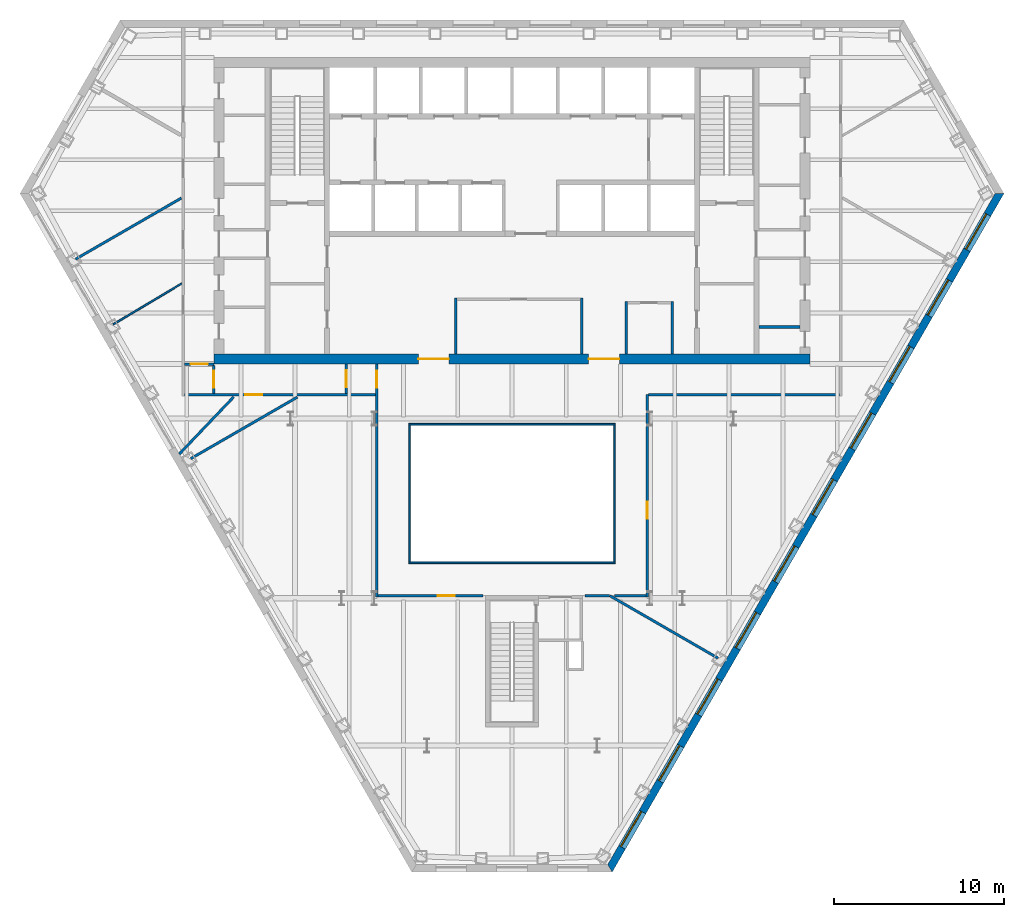
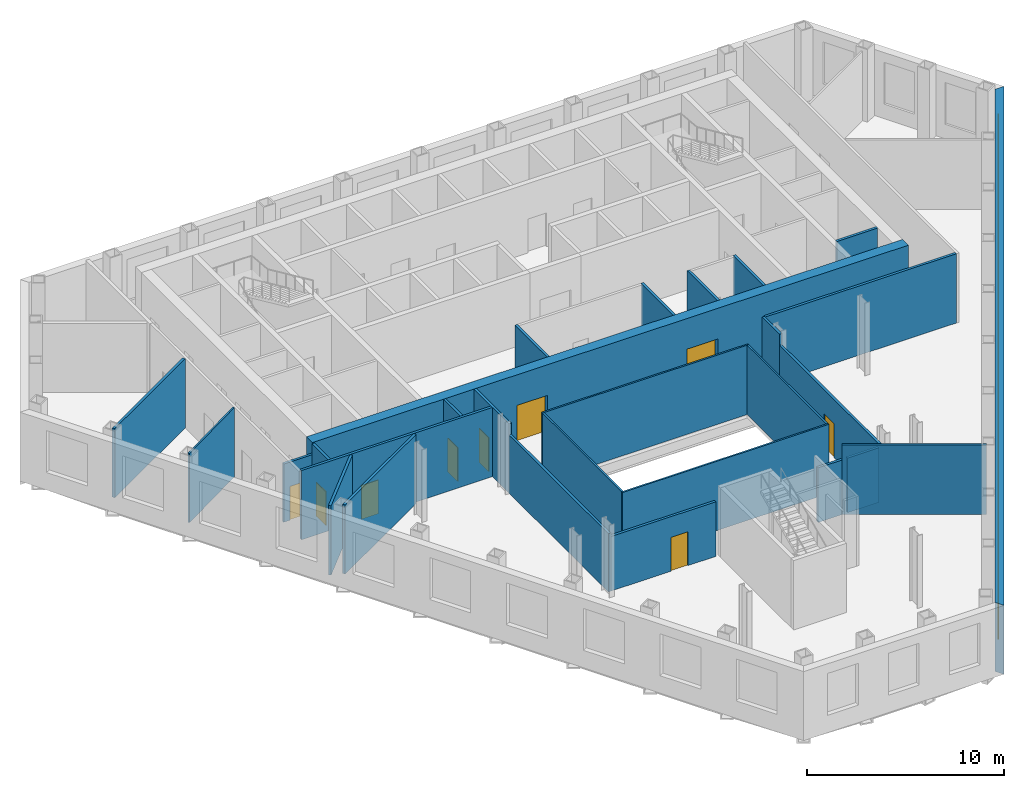
# One storey, part 5 of 11: 28 walls, 10 windows, 9 doors, 19 openings.
"""IFC4 building model written with IfcOpenShell, lengths in metres."""

from ifc_helpers import new_model, si_unit, direction, frame, frame_2d, origin, place, context, subcontext, project, spatial, polyline, rectangle, outline, extrude, material, layer, layer_set, type_object, element, fill, save


model = new_model("IFC4")

# Units and contexts
model_context = context("Model", 3, precision=1e-05, world=origin(), true_north=direction((0.0, 1.0)))
body_context = subcontext(model_context, "Body", "Model", "MODEL_VIEW")
ifc_project = project(units=[si_unit("LENGTHUNIT", "METRE"), si_unit("AREAUNIT", "SQUARE_METRE"), si_unit("VOLUMEUNIT", "CUBIC_METRE"), si_unit("PLANEANGLEUNIT", "RADIAN"), si_unit("MASSUNIT", "GRAM", prefix="KILO")], contexts=[model_context])

# Site, building, storey
site_placement = place(None, origin())
site = spatial("IfcSite", under=ifc_project, at=site_placement, CompositionType="ELEMENT")
building_placement = place(site_placement, origin())
building = spatial("IfcBuilding", under=site, at=building_placement, Name="Njiva Tower", CompositionType="ELEMENT")
storey_placement = place(building_placement, frame((0.0, 0.0, 33.3)))
storey = spatial("IfcBuildingStorey", under=building, at=storey_placement, Name="L06", CompositionType="ELEMENT", Elevation=33.3)

# Walls
ifc_material_1 = material(Name="Blockwork", Category="masonry")
ifc_layer_1 = layer(ifc_material_1, 0.15)
ifc_layer_set_1 = layer_set([ifc_layer_1], Name="Blockwork")
wall_type_1 = type_object("IfcWallType", Name="WT1 Compartment partition 150", PredefinedType="PARTITIONING", material=ifc_layer_set_1)
wall_1_placement = place(storey_placement, frame((14.5, 2.175, 0.0), z_axis=(0.0, 0.0, 1.0), x_axis=(1.0, 0.0, 0.0)))
element("IfcWall", 1, at=wall_1_placement, inside=storey, type_object=wall_type_1, Name="Partition strip E00", PredefinedType="PARTITIONING", context=body_context, shape_type="SweptSolid", body=[
    extrude(rectangle(XDim=2.4, YDim=0.15, at=frame_2d((1.2, 0.0))), origin(), (0.0, 0.0, 1.0), 4.3),
])
for number, where, z_axis, x_axis, name in (
    (2, (-3.3, 0.6, 0.0), (0.0, 0.0, 1.0), (0.0, 1.0, 0.0), "Information office wall west"),
    (3, (4.1, 0.6, 0.0), (0.0, 0.0, 1.0), (0.0, 1.0, 0.0), "Information office wall east"),
):
    element("IfcWall", number, at=place(storey_placement, frame(where, z_axis=z_axis, x_axis=x_axis)), inside=storey, type_object=wall_type_1, Name=name, PredefinedType="PARTITIONING", context=body_context, shape_type="SweptSolid", body=[
        extrude(rectangle(XDim=3.275, YDim=0.15, at=frame_2d((1.6375, 0.0))), origin(), (0.0, 0.0, 1.0), 4.3),
    ])
for number, where, z_axis, x_axis, name in (
    (4, (6.7, 0.6, 0.0), (0.0, 0.0, 1.0), (0.0, 1.0, 0.0), "Tenant reception wall west"),
    (5, (9.4, 0.6, 0.0), (0.0, 0.0, 1.0), (0.0, 1.0, 0.0), "Tenant reception wall east"),
):
    element("IfcWall", number, at=place(storey_placement, frame(where, z_axis=z_axis, x_axis=x_axis)), inside=storey, type_object=wall_type_1, Name=name, PredefinedType="PARTITIONING", context=body_context, shape_type="SweptSolid", body=[
        extrude(rectangle(XDim=3.075, YDim=0.15, at=frame_2d((1.5375, 0.0))), origin(), (0.0, 0.0, 1.0), 4.3),
    ])

# Wall, openings, doors
ifc_material_2 = material(Name="Concrete C60/75", Category="concrete")
ifc_layer_2 = layer(ifc_material_2, 0.6)
ifc_layer_set_2 = layer_set([ifc_layer_2], Name="Concrete C60/75")
wall_type_2 = type_object("IfcWallType", Name="WT15 Core wall 600", PredefinedType="SHEAR", material=ifc_layer_set_2)
wall_2_placement = place(storey_placement, frame((-17.5, 0.3, 0.0), z_axis=(0.0, 0.0, 1.0), x_axis=(1.0, 0.0, 0.0)))
wall_2 = element("IfcWall", 6, at=wall_2_placement, inside=storey, type_object=wall_type_2, Name="Core wall south", PredefinedType="SHEAR", context=body_context, shape_type="SweptSolid", body=[
    extrude(rectangle(XDim=35.0, YDim=0.6, at=frame_2d((17.5, 0.0))), origin(), (0.0, 0.0, 1.0), 4.3),
])
opening_1_placement = place(wall_2_placement, frame((12.0, 0.0, 0.0)))
opening_1 = element("IfcOpeningElement", 7, at=opening_1_placement, cuts=wall_2, Name="Opening S02-D937", PredefinedType="OPENING", context=body_context, shape_type="SweptSolid", body=[
    extrude(rectangle(XDim=1.8, YDim=2.4, at=frame_2d((0.9, 1.2))), frame((0.0, 0.31, 0.0), z_axis=(0.0, -1.0, 0.0), x_axis=(1.0, 0.0, 0.0)), (0.0, 0.0, 1.0), 0.62),
])
opening_2_placement = place(wall_2_placement, frame((22.0, 0.0, 0.0)))
opening_2 = element("IfcOpeningElement", 8, at=opening_2_placement, cuts=wall_2, Name="Opening S02-D938", PredefinedType="OPENING", context=body_context, shape_type="SweptSolid", body=[
    extrude(rectangle(XDim=1.8, YDim=2.4, at=frame_2d((0.9, 1.2))), frame((0.0, 0.31, 0.0), z_axis=(0.0, -1.0, 0.0), x_axis=(1.0, 0.0, 0.0)), (0.0, 0.0, 1.0), 0.62),
])
ifc_material_3 = material(Name="Steel and glass door", Category="steel")
door_type_1 = type_object("IfcDoorType", Name="D3 Core entrance door 1800x2400", OperationType="DOUBLE_DOOR_SINGLE_SWING", PredefinedType="DOOR", material=ifc_material_3)
door_1_placement = place(opening_1_placement, origin())
door_1 = element("IfcDoor", 9, at=door_1_placement, inside=storey, type_object=door_type_1, Name="Core entrance door", OperationType="DOUBLE_DOOR_SINGLE_SWING", OverallHeight=2.4, OverallWidth=1.8, PredefinedType="DOOR", context=body_context, shape_type="SweptSolid", body=[
    extrude(rectangle(XDim=1.8, YDim=2.4, at=frame_2d((0.9, 1.2))), frame((0.0, 0.025, 0.0), z_axis=(0.0, -1.0, 0.0), x_axis=(1.0, 0.0, 0.0)), (0.0, 0.0, 1.0), 0.05),
])
fill(opening_1, door_1)
door_2_placement = place(opening_2_placement, origin())
door_2 = element("IfcDoor", 10, at=door_2_placement, inside=storey, type_object=door_type_1, Name="Core entrance door", OperationType="DOUBLE_DOOR_SINGLE_SWING", OverallHeight=2.4, OverallWidth=1.8, PredefinedType="DOOR", context=body_context, shape_type="SweptSolid", body=[
    extrude(rectangle(XDim=1.8, YDim=2.4, at=frame_2d((0.9, 1.2))), frame((0.0, 0.025, 0.0), z_axis=(0.0, -1.0, 0.0), x_axis=(1.0, 0.0, 0.0)), (0.0, 0.0, 1.0), 0.05),
])
fill(opening_2, door_2)

# Walls
ifc_material_4 = material(Name="Gypsum board on steel studs", Category="gypsum")
ifc_layer_3 = layer(ifc_material_4, 0.1)
ifc_layer_set_3 = layer_set([ifc_layer_3], Name="Gypsum board on steel studs")
wall_type_3 = type_object("IfcWallType", Name="WT20 Gypsum partition 100", PredefinedType="PARTITIONING", material=ifc_layer_set_3)
wall_3_placement = place(storey_placement, frame((-23.41, 2.331, 0.0), z_axis=(0.0, 0.0, 1.0), x_axis=(0.858568146325, 0.512699461786, 0.0)))
element("IfcWall", 11, at=wall_3_placement, inside=storey, type_object=wall_type_3, Name="Partition S02-P003", PredefinedType="PARTITIONING", context=body_context, shape_type="SweptSolid", body=[
    extrude(rectangle(XDim=4.6694, YDim=0.1, at=frame_2d((2.3347, 0.0))), origin(), (0.0, 0.0, 1.0), 4.3),
])
ifc_layer_4 = layer(ifc_material_4, 0.15)
ifc_layer_set_4 = layer_set([ifc_layer_4], Name="Gypsum board on steel studs")
wall_type_4 = type_object("IfcWallType", Name="WT21 Compartment wall 150", PredefinedType="PARTITIONING", material=ifc_layer_set_4)
wall_4_placement = place(storey_placement, frame((-25.62, 6.161, 0.0), z_axis=(0.0, 0.0, 1.0), x_axis=(0.866036909293, 0.499980071345, 0.0)))
element("IfcWall", 12, at=wall_4_placement, inside=storey, type_object=wall_type_4, Name="Partition S02-P001", PredefinedType="PARTITIONING", context=body_context, shape_type="SweptSolid", body=[
    extrude(rectangle(XDim=7.1683, YDim=0.15, at=frame_2d((3.5842, 0.0))), origin(), (0.0, 0.0, 1.0), 4.3),
])
wall_5_placement = place(storey_placement, frame((-19.533, -5.282, 0.0), z_axis=(0.0, 0.0, 1.0), x_axis=(0.689628223258, 0.724163595941, 0.0)))
element("IfcWall", 13, at=wall_5_placement, inside=storey, type_object=wall_type_4, Name="Partition S02-P004", PredefinedType="PARTITIONING", context=body_context, shape_type="SweptSolid", body=[
    extrude(rectangle(XDim=4.6329, YDim=0.15, at=frame_2d((2.3164, 0.0))), origin(), (0.0, 0.0, 1.0), 4.3),
])

# Wall, opening, door
wall_6_placement = place(storey_placement, frame((-19.225, -1.8, 0.0), z_axis=(0.0, 0.0, 1.0), x_axis=(1.0, 0.0, 0.0)))
wall_6 = element("IfcWall", 14, at=wall_6_placement, inside=storey, type_object=wall_type_4, Name="Partition S02-P007", PredefinedType="PARTITIONING", context=body_context, shape_type="SweptSolid", body=[
    extrude(rectangle(XDim=11.21, YDim=0.15, at=frame_2d((5.605, 0.0))), origin(), (0.0, 0.0, 1.0), 4.3),
])
opening_3_placement = place(wall_6_placement, frame((3.559, 0.0, 0.0)))
opening_3 = element("IfcOpeningElement", 15, at=opening_3_placement, cuts=wall_6, Name="Opening S02-D005", PredefinedType="OPENING", context=body_context, shape_type="SweptSolid", body=[
    extrude(rectangle(XDim=1.0, YDim=2.1, at=frame_2d((0.5, 1.05))), frame((0.0, 0.085, 0.0), z_axis=(0.0, -1.0, 0.0), x_axis=(1.0, 0.0, 0.0)), (0.0, 0.0, 1.0), 0.17),
])
ifc_material_5 = material(Name="Steel fire door set", Category="steel")
door_type_2 = type_object("IfcDoorType", Name="D37 Fire door 1000x2100", OperationType="SINGLE_SWING_LEFT", PredefinedType="DOOR", material=ifc_material_5)
door_3_placement = place(opening_3_placement, origin())
door_3 = element("IfcDoor", 16, at=door_3_placement, inside=storey, type_object=door_type_2, Name="Door S02-D005", OperationType="SINGLE_SWING_LEFT", OverallHeight=2.1, OverallWidth=1.0, PredefinedType="DOOR", context=body_context, shape_type="SweptSolid", body=[
    extrude(rectangle(XDim=1.0, YDim=2.1, at=frame_2d((0.5, 1.05))), frame((0.0, 0.025, 0.0), z_axis=(0.0, -1.0, 0.0), x_axis=(1.0, 0.0, 0.0)), (0.0, 0.0, 1.0), 0.05),
])
fill(opening_3, door_3)

wall_7_placement = place(storey_placement, frame((-19.225, 0.0, 0.0), z_axis=(0.0, 0.0, 1.0), x_axis=(1.0, 0.0, 0.0)))
wall_7 = element("IfcWall", 17, at=wall_7_placement, inside=storey, type_object=wall_type_4, Name="Partition S02-P008", PredefinedType="PARTITIONING", context=body_context, shape_type="SweptSolid", body=[
    extrude(rectangle(XDim=1.725, YDim=0.15, at=frame_2d((0.8625, 0.0))), origin(), (0.0, 0.0, 1.0), 3.61),
])
opening_4_placement = place(wall_7_placement, frame((0.363, 0.0, 0.0)))
opening_4 = element("IfcOpeningElement", 18, at=opening_4_placement, cuts=wall_7, Name="Opening S02-D006", PredefinedType="OPENING", context=body_context, shape_type="SweptSolid", body=[
    extrude(rectangle(XDim=1.0, YDim=2.1, at=frame_2d((0.5, 1.05))), frame((0.0, 0.085, 0.0), z_axis=(0.0, -1.0, 0.0), x_axis=(1.0, 0.0, 0.0)), (0.0, 0.0, 1.0), 0.17),
])
door_4_placement = place(opening_4_placement, origin())
door_4 = element("IfcDoor", 19, at=door_4_placement, inside=storey, type_object=door_type_2, Name="Door S02-D006", OperationType="SINGLE_SWING_LEFT", OverallHeight=2.1, OverallWidth=1.0, PredefinedType="DOOR", context=body_context, shape_type="SweptSolid", body=[
    extrude(rectangle(XDim=1.0, YDim=2.1, at=frame_2d((0.5, 1.05))), frame((0.0, 0.025, 0.0), z_axis=(0.0, -1.0, 0.0), x_axis=(1.0, 0.0, 0.0)), (0.0, 0.0, 1.0), 0.05),
])
fill(opening_4, door_4)

# Wall
wall_8_placement = place(storey_placement, frame((-18.858, -5.552, 0.0), z_axis=(0.0, 0.0, 1.0), x_axis=(0.866088799389, 0.499890179513, 0.0)))
element("IfcWall", 20, at=wall_8_placement, inside=storey, type_object=wall_type_4, Name="Partition S02-P009", PredefinedType="PARTITIONING", context=body_context, shape_type="SweptSolid", body=[
    extrude(rectangle(XDim=7.2256, YDim=0.15, at=frame_2d((3.6128, 0.0))), origin(), (0.0, 0.0, 1.0), 4.3),
])

# Wall, opening, door
wall_9_placement = place(storey_placement, frame((-17.5, -1.725, 0.0), z_axis=(0.0, 0.0, 1.0), x_axis=(0.0, 1.0, 0.0)))
wall_9 = element("IfcWall", 21, at=wall_9_placement, inside=storey, type_object=wall_type_4, Name="Partition S02-P010", PredefinedType="PARTITIONING", context=body_context, shape_type="SweptSolid", body=[
    extrude(rectangle(XDim=1.65, YDim=0.15, at=frame_2d((0.825, 0.0))), origin(), (0.0, 0.0, 1.0), 4.3),
])
opening_5_placement = place(wall_9_placement, frame((0.325, 0.0, 0.0)))
opening_5 = element("IfcOpeningElement", 22, at=opening_5_placement, cuts=wall_9, Name="Opening S02-D007", PredefinedType="OPENING", context=body_context, shape_type="SweptSolid", body=[
    extrude(rectangle(XDim=1.0, YDim=2.1, at=frame_2d((0.5, 1.05))), frame((0.0, 0.085, 0.0), z_axis=(0.0, -1.0, 0.0), x_axis=(1.0, 0.0, 0.0)), (0.0, 0.0, 1.0), 0.17),
])
door_5_placement = place(opening_5_placement, origin())
door_5 = element("IfcDoor", 23, at=door_5_placement, inside=storey, type_object=door_type_2, Name="Door S02-D007", OperationType="SINGLE_SWING_LEFT", OverallHeight=2.1, OverallWidth=1.0, PredefinedType="DOOR", context=body_context, shape_type="SweptSolid", body=[
    extrude(rectangle(XDim=1.0, YDim=2.1, at=frame_2d((0.5, 1.05))), frame((0.0, 0.025, 0.0), z_axis=(0.0, -1.0, 0.0), x_axis=(1.0, 0.0, 0.0)), (0.0, 0.0, 1.0), 0.05),
])
fill(opening_5, door_5)

wall_10_placement = place(storey_placement, frame((-9.74, -1.725, 0.0), z_axis=(0.0, 0.0, 1.0), x_axis=(0.0, 1.0, 0.0)))
wall_10 = element("IfcWall", 24, at=wall_10_placement, inside=storey, type_object=wall_type_4, Name="Partition S02-P011", PredefinedType="PARTITIONING", context=body_context, shape_type="SweptSolid", body=[
    extrude(rectangle(XDim=1.725, YDim=0.15, at=frame_2d((0.8625, 0.0))), origin(), (0.0, 0.0, 1.0), 4.3),
])
opening_6_placement = place(wall_10_placement, frame((0.363, 0.0, 0.0)))
opening_6 = element("IfcOpeningElement", 25, at=opening_6_placement, cuts=wall_10, Name="Opening S02-D008", PredefinedType="OPENING", context=body_context, shape_type="SweptSolid", body=[
    extrude(rectangle(XDim=1.0, YDim=2.1, at=frame_2d((0.5, 1.05))), frame((0.0, 0.085, 0.0), z_axis=(0.0, -1.0, 0.0), x_axis=(1.0, 0.0, 0.0)), (0.0, 0.0, 1.0), 0.17),
])
door_6_placement = place(opening_6_placement, origin())
door_6 = element("IfcDoor", 26, at=door_6_placement, inside=storey, type_object=door_type_2, Name="Door S02-D008", OperationType="SINGLE_SWING_LEFT", OverallHeight=2.1, OverallWidth=1.0, PredefinedType="DOOR", context=body_context, shape_type="SweptSolid", body=[
    extrude(rectangle(XDim=1.0, YDim=2.1, at=frame_2d((0.5, 1.05))), frame((0.0, 0.025, 0.0), z_axis=(0.0, -1.0, 0.0), x_axis=(1.0, 0.0, 0.0)), (0.0, 0.0, 1.0), 0.05),
])
fill(opening_6, door_6)

# Wall
wall_11_placement = place(storey_placement, frame((-7.94, -13.675, 0.0), z_axis=(0.0, 0.0, 1.0), x_axis=(0.0, 1.0, 0.0)))
element("IfcWall", 27, at=wall_11_placement, inside=storey, type_object=wall_type_4, Name="Partition S02-P012", PredefinedType="PARTITIONING", context=body_context, shape_type="SweptSolid", body=[
    extrude(rectangle(XDim=10.118, YDim=0.15, at=frame_2d((5.059, 0.0))), origin(), (0.0, 0.0, 1.0), 3.61),
])

# Wall, opening, door
wall_12_placement = place(storey_placement, frame((-7.94, -3.557, 0.0), z_axis=(0.0, 0.0, 1.0), x_axis=(0.0, 1.0, 0.0)))
wall_12 = element("IfcWall", 28, at=wall_12_placement, inside=storey, type_object=wall_type_4, Name="Partition S02-P012A", PredefinedType="PARTITIONING", context=body_context, shape_type="SweptSolid", body=[
    extrude(rectangle(XDim=3.557, YDim=0.15, at=frame_2d((1.7785, 0.0))), origin(), (0.0, 0.0, 1.0), 4.3),
])
opening_7_placement = place(wall_12_placement, frame((2.157, 0.0, 0.0)))
opening_7 = element("IfcOpeningElement", 29, at=opening_7_placement, cuts=wall_12, Name="Opening S02-D009", PredefinedType="OPENING", context=body_context, shape_type="SweptSolid", body=[
    extrude(rectangle(XDim=1.0, YDim=2.1, at=frame_2d((0.5, 1.05))), frame((0.0, 0.085, 0.0), z_axis=(0.0, -1.0, 0.0), x_axis=(1.0, 0.0, 0.0)), (0.0, 0.0, 1.0), 0.17),
])
door_7_placement = place(opening_7_placement, origin())
door_7 = element("IfcDoor", 30, at=door_7_placement, inside=storey, type_object=door_type_2, Name="Door S02-D009", OperationType="SINGLE_SWING_LEFT", OverallHeight=2.1, OverallWidth=1.0, PredefinedType="DOOR", context=body_context, shape_type="SweptSolid", body=[
    extrude(rectangle(XDim=1.0, YDim=2.1, at=frame_2d((0.5, 1.05))), frame((0.0, 0.025, 0.0), z_axis=(0.0, -1.0, 0.0), x_axis=(1.0, 0.0, 0.0)), (0.0, 0.0, 1.0), 0.05),
])
fill(opening_7, door_7)

wall_13_placement = place(storey_placement, frame((-7.865, -13.6, 0.0), z_axis=(0.0, 0.0, 1.0), x_axis=(1.0, 0.0, 0.0)))
wall_13 = element("IfcWall", 31, at=wall_13_placement, inside=storey, type_object=wall_type_4, Name="Partition S02-P013", PredefinedType="PARTITIONING", context=body_context, shape_type="SweptSolid", body=[
    extrude(rectangle(XDim=6.165, YDim=0.15, at=frame_2d((3.0825, 0.0))), origin(), (0.0, 0.0, 1.0), 3.39),
])
opening_8_placement = place(wall_13_placement, frame((3.514, 0.0, 0.0)))
opening_8 = element("IfcOpeningElement", 32, at=opening_8_placement, cuts=wall_13, Name="Opening S02-D010", PredefinedType="OPENING", context=body_context, shape_type="SweptSolid", body=[
    extrude(rectangle(XDim=1.0, YDim=2.1, at=frame_2d((0.5, 1.05))), frame((0.0, 0.085, 0.0), z_axis=(0.0, -1.0, 0.0), x_axis=(1.0, 0.0, 0.0)), (0.0, 0.0, 1.0), 0.17),
])
door_8_placement = place(opening_8_placement, origin())
door_8 = element("IfcDoor", 33, at=door_8_placement, inside=storey, type_object=door_type_2, Name="Door S02-D010", OperationType="SINGLE_SWING_RIGHT", OverallHeight=2.1, OverallWidth=1.0, PredefinedType="DOOR", context=body_context, shape_type="SweptSolid", body=[
    extrude(rectangle(XDim=1.0, YDim=2.1, at=frame_2d((0.5, 1.05))), frame((0.0, 0.025, 0.0), z_axis=(0.0, -1.0, 0.0), x_axis=(1.0, 0.0, 0.0)), (0.0, 0.0, 1.0), 0.05),
])
fill(opening_8, door_8)

# Walls
wall_14_placement = place(storey_placement, frame((4.3, -13.6, 0.0), z_axis=(0.0, 0.0, 1.0), x_axis=(1.0, 0.0, 0.0)))
element("IfcWall", 34, at=wall_14_placement, inside=storey, type_object=wall_type_4, Name="Partition S02-P014", PredefinedType="PARTITIONING", context=body_context, shape_type="SweptSolid", body=[
    extrude(rectangle(XDim=1.41, YDim=0.15, at=frame_2d((0.705, 0.0))), origin(), (0.0, 0.0, 1.0), 3.39),
])
wall_15_placement = place(storey_placement, frame((5.747, -13.602, 0.0), z_axis=(0.0, 0.0, 1.0), x_axis=(0.866085627872, -0.49989567431, 0.0)))
element("IfcWall", 35, at=wall_15_placement, inside=storey, type_object=wall_type_4, Name="Partition S02-P015", PredefinedType="PARTITIONING", context=body_context, shape_type="SweptSolid", body=[
    extrude(rectangle(XDim=7.3295, YDim=0.15, at=frame_2d((3.6648, 0.0))), origin(), (0.0, 0.0, 1.0), 4.3),
])
wall_16_placement = place(storey_placement, frame((6.024, -13.6, 0.0), z_axis=(0.0, 0.0, 1.0), x_axis=(1.0, 0.0, 0.0)))
element("IfcWall", 36, at=wall_16_placement, inside=storey, type_object=wall_type_4, Name="Partition S02-P016", PredefinedType="PARTITIONING", context=body_context, shape_type="SweptSolid", body=[
    extrude(rectangle(XDim=1.841, YDim=0.15, at=frame_2d((0.9205, 0.0))), origin(), (0.0, 0.0, 1.0), 3.39),
])

# Wall, opening, door
wall_17_placement = place(storey_placement, frame((7.94, -13.675, 0.0), z_axis=(0.0, 0.0, 1.0), x_axis=(0.0, 1.0, 0.0)))
wall_17 = element("IfcWall", 37, at=wall_17_placement, inside=storey, type_object=wall_type_4, Name="Partition S02-P017", PredefinedType="PARTITIONING", context=body_context, shape_type="SweptSolid", body=[
    extrude(rectangle(XDim=10.118, YDim=0.15, at=frame_2d((5.059, 0.0))), origin(), (0.0, 0.0, 1.0), 3.61),
])
opening_9_placement = place(wall_17_placement, frame((4.581, 0.0, 0.0)))
opening_9 = element("IfcOpeningElement", 38, at=opening_9_placement, cuts=wall_17, Name="Opening S02-D011", PredefinedType="OPENING", context=body_context, shape_type="SweptSolid", body=[
    extrude(rectangle(XDim=1.0, YDim=2.1, at=frame_2d((0.5, 1.05))), frame((0.0, 0.085, 0.0), z_axis=(0.0, -1.0, 0.0), x_axis=(1.0, 0.0, 0.0)), (0.0, 0.0, 1.0), 0.17),
])
door_9_placement = place(opening_9_placement, origin())
door_9 = element("IfcDoor", 39, at=door_9_placement, inside=storey, type_object=door_type_2, Name="Door S02-D011", OperationType="SINGLE_SWING_RIGHT", OverallHeight=2.1, OverallWidth=1.0, PredefinedType="DOOR", context=body_context, shape_type="SweptSolid", body=[
    extrude(rectangle(XDim=1.0, YDim=2.1, at=frame_2d((0.5, 1.05))), frame((0.0, 0.025, 0.0), z_axis=(0.0, -1.0, 0.0), x_axis=(1.0, 0.0, 0.0)), (0.0, 0.0, 1.0), 0.05),
])
fill(opening_9, door_9)

# Walls
wall_18_placement = place(storey_placement, frame((7.94, -3.557, 0.0), z_axis=(0.0, 0.0, 1.0), x_axis=(0.0, 1.0, 0.0)))
element("IfcWall", 40, at=wall_18_placement, inside=storey, type_object=wall_type_4, Name="Partition S02-P017A", PredefinedType="PARTITIONING", context=body_context, shape_type="SweptSolid", body=[
    extrude(rectangle(XDim=1.768, YDim=0.15, at=frame_2d((0.884, 0.0))), origin(), (0.0, 0.0, 1.0), 4.3),
])
wall_19_placement = place(storey_placement, frame((8.015, -1.8, 0.0), z_axis=(0.0, 0.0, 1.0), x_axis=(1.0, 0.0, 0.0)))
element("IfcWall", 41, at=wall_19_placement, inside=storey, type_object=wall_type_4, Name="Partition S02-P018", PredefinedType="PARTITIONING", context=body_context, shape_type="SweptSolid", body=[
    extrude(rectangle(XDim=11.21, YDim=0.15, at=frame_2d((5.605, 0.0))), origin(), (0.0, 0.0, 1.0), 4.3),
])

# Wall, openings, windows
ifc_material_6 = material(Name="Brick masonry", Category="masonry")
ifc_layer_5 = layer(ifc_material_6, 0.45)
ifc_layer_set_5 = layer_set([ifc_layer_5], Name="Brick masonry")
wall_type_5 = type_object("IfcWallType", Name="WT90 Brick pier and spandrel wall 450", PredefinedType="SOLIDWALL", material=ifc_layer_set_5)
wall_20_placement = place(storey_placement, frame((5.7501, -29.6053, -0.18), z_axis=(0.0, 0.0, 1.0), x_axis=(0.500000335318, 0.866025210188, 0.0)))
wall_20 = element("IfcWall", 42, at=wall_20_placement, inside=storey, type_object=wall_type_5, Name="Facade wall SE", PredefinedType="SOLIDWALL", context=body_context, shape_type="SweptSolid", body=[
    extrude(outline(polyline([(-0.1299, -0.225), (45.8801, -0.225), (45.6203, 0.225), (0.1299, 0.225), (-0.1299, -0.225)])), origin(), (0.0, 0.0, 1.0), 4.28),
])
opening_10_placement = place(wall_20_placement, frame((1.4247, 0.0, 1.08)))
opening_10 = element("IfcOpeningElement", 43, at=opening_10_placement, cuts=wall_20, Name="Opening S02-W25", PredefinedType="OPENING", context=body_context, shape_type="SweptSolid", body=[
    extrude(rectangle(XDim=2.4, YDim=2.6, at=frame_2d((1.2, 1.3))), frame((0.0, 0.235, 0.0), z_axis=(0.0, -1.0, 0.0), x_axis=(1.0, 0.0, 0.0)), (0.0, 0.0, 1.0), 0.47),
])
opening_11_placement = place(wall_20_placement, frame((5.8949, 0.0, 1.08)))
opening_11 = element("IfcOpeningElement", 44, at=opening_11_placement, cuts=wall_20, Name="Opening S02-W26", PredefinedType="OPENING", context=body_context, shape_type="SweptSolid", body=[
    extrude(rectangle(XDim=2.4, YDim=2.6, at=frame_2d((1.2, 1.3))), frame((0.0, 0.235, 0.0), z_axis=(0.0, -1.0, 0.0), x_axis=(1.0, 0.0, 0.0)), (0.0, 0.0, 1.0), 0.47),
])
opening_12_placement = place(wall_20_placement, frame((10.4035, 0.0, 1.08)))
opening_12 = element("IfcOpeningElement", 45, at=opening_12_placement, cuts=wall_20, Name="Opening S02-W27", PredefinedType="OPENING", context=body_context, shape_type="SweptSolid", body=[
    extrude(rectangle(XDim=2.4, YDim=2.6, at=frame_2d((1.2, 1.3))), frame((0.0, 0.235, 0.0), z_axis=(0.0, -1.0, 0.0), x_axis=(1.0, 0.0, 0.0)), (0.0, 0.0, 1.0), 0.47),
])
opening_13_placement = place(wall_20_placement, frame((14.9122, 0.0, 1.08)))
opening_13 = element("IfcOpeningElement", 46, at=opening_13_placement, cuts=wall_20, Name="Opening S02-W28", PredefinedType="OPENING", context=body_context, shape_type="SweptSolid", body=[
    extrude(rectangle(XDim=2.4, YDim=2.6, at=frame_2d((1.2, 1.3))), frame((0.0, 0.235, 0.0), z_axis=(0.0, -1.0, 0.0), x_axis=(1.0, 0.0, 0.0)), (0.0, 0.0, 1.0), 0.47),
])
opening_14_placement = place(wall_20_placement, frame((19.4208, 0.0, 1.08)))
opening_14 = element("IfcOpeningElement", 47, at=opening_14_placement, cuts=wall_20, Name="Opening S02-W29", PredefinedType="OPENING", context=body_context, shape_type="SweptSolid", body=[
    extrude(rectangle(XDim=2.4, YDim=2.6, at=frame_2d((1.2, 1.3))), frame((0.0, 0.235, 0.0), z_axis=(0.0, -1.0, 0.0), x_axis=(1.0, 0.0, 0.0)), (0.0, 0.0, 1.0), 0.47),
])
opening_15_placement = place(wall_20_placement, frame((23.9294, 0.0, 1.08)))
opening_15 = element("IfcOpeningElement", 48, at=opening_15_placement, cuts=wall_20, Name="Opening S02-W30", PredefinedType="OPENING", context=body_context, shape_type="SweptSolid", body=[
    extrude(rectangle(XDim=2.4, YDim=2.6, at=frame_2d((1.2, 1.3))), frame((0.0, 0.235, 0.0), z_axis=(0.0, -1.0, 0.0), x_axis=(1.0, 0.0, 0.0)), (0.0, 0.0, 1.0), 0.47),
])
opening_16_placement = place(wall_20_placement, frame((28.438, 0.0, 1.08)))
opening_16 = element("IfcOpeningElement", 49, at=opening_16_placement, cuts=wall_20, Name="Opening S02-W31", PredefinedType="OPENING", context=body_context, shape_type="SweptSolid", body=[
    extrude(rectangle(XDim=2.4, YDim=2.6, at=frame_2d((1.2, 1.3))), frame((0.0, 0.235, 0.0), z_axis=(0.0, -1.0, 0.0), x_axis=(1.0, 0.0, 0.0)), (0.0, 0.0, 1.0), 0.47),
])
opening_17_placement = place(wall_20_placement, frame((32.9466, 0.0, 1.08)))
opening_17 = element("IfcOpeningElement", 50, at=opening_17_placement, cuts=wall_20, Name="Opening S02-W32", PredefinedType="OPENING", context=body_context, shape_type="SweptSolid", body=[
    extrude(rectangle(XDim=2.4, YDim=2.6, at=frame_2d((1.2, 1.3))), frame((0.0, 0.235, 0.0), z_axis=(0.0, -1.0, 0.0), x_axis=(1.0, 0.0, 0.0)), (0.0, 0.0, 1.0), 0.47),
])
opening_18_placement = place(wall_20_placement, frame((37.4553, 0.0, 1.08)))
opening_18 = element("IfcOpeningElement", 51, at=opening_18_placement, cuts=wall_20, Name="Opening S02-W33", PredefinedType="OPENING", context=body_context, shape_type="SweptSolid", body=[
    extrude(rectangle(XDim=2.4, YDim=2.6, at=frame_2d((1.2, 1.3))), frame((0.0, 0.235, 0.0), z_axis=(0.0, -1.0, 0.0), x_axis=(1.0, 0.0, 0.0)), (0.0, 0.0, 1.0), 0.47),
])
opening_19_placement = place(wall_20_placement, frame((41.9255, 0.0, 1.08)))
opening_19 = element("IfcOpeningElement", 52, at=opening_19_placement, cuts=wall_20, Name="Opening S02-W34", PredefinedType="OPENING", context=body_context, shape_type="SweptSolid", body=[
    extrude(rectangle(XDim=2.4, YDim=2.6, at=frame_2d((1.2, 1.3))), frame((0.0, 0.235, 0.0), z_axis=(0.0, -1.0, 0.0), x_axis=(1.0, 0.0, 0.0)), (0.0, 0.0, 1.0), 0.47),
])
ifc_material_7 = material(Name="Clear glazing in aluminium frame", Category="aluminium")
window_type = type_object("IfcWindowType", Name="W92 Deep-set window 2400x2600", PartitioningType="SINGLE_PANEL", PredefinedType="WINDOW", material=ifc_material_7)
window_1_placement = place(opening_10_placement, origin())
window_1 = element("IfcWindow", 53, at=window_1_placement, inside=storey, type_object=window_type, Name="Window", OverallHeight=2.6, OverallWidth=2.4, PartitioningType="SINGLE_PANEL", PredefinedType="WINDOW", context=body_context, shape_type="SweptSolid", body=[
    extrude(rectangle(XDim=2.4, YDim=2.6, at=frame_2d((1.2, 1.3))), frame((0.0, 0.105, 0.0), z_axis=(0.0, -1.0, 0.0), x_axis=(1.0, 0.0, 0.0)), (0.0, 0.0, 1.0), 0.06),
])
fill(opening_10, window_1)
window_2_placement = place(opening_11_placement, origin())
window_2 = element("IfcWindow", 54, at=window_2_placement, inside=storey, type_object=window_type, Name="Window", OverallHeight=2.6, OverallWidth=2.4, PartitioningType="SINGLE_PANEL", PredefinedType="WINDOW", context=body_context, shape_type="SweptSolid", body=[
    extrude(rectangle(XDim=2.4, YDim=2.6, at=frame_2d((1.2, 1.3))), frame((0.0, 0.105, 0.0), z_axis=(0.0, -1.0, 0.0), x_axis=(1.0, 0.0, 0.0)), (0.0, 0.0, 1.0), 0.06),
])
fill(opening_11, window_2)
window_3_placement = place(opening_12_placement, origin())
window_3 = element("IfcWindow", 55, at=window_3_placement, inside=storey, type_object=window_type, Name="Window", OverallHeight=2.6, OverallWidth=2.4, PartitioningType="SINGLE_PANEL", PredefinedType="WINDOW", context=body_context, shape_type="SweptSolid", body=[
    extrude(rectangle(XDim=2.4, YDim=2.6, at=frame_2d((1.2, 1.3))), frame((0.0, 0.105, 0.0), z_axis=(0.0, -1.0, 0.0), x_axis=(1.0, 0.0, 0.0)), (0.0, 0.0, 1.0), 0.06),
])
fill(opening_12, window_3)
window_4_placement = place(opening_13_placement, origin())
window_4 = element("IfcWindow", 56, at=window_4_placement, inside=storey, type_object=window_type, Name="Window", OverallHeight=2.6, OverallWidth=2.4, PartitioningType="SINGLE_PANEL", PredefinedType="WINDOW", context=body_context, shape_type="SweptSolid", body=[
    extrude(rectangle(XDim=2.4, YDim=2.6, at=frame_2d((1.2, 1.3))), frame((0.0, 0.105, 0.0), z_axis=(0.0, -1.0, 0.0), x_axis=(1.0, 0.0, 0.0)), (0.0, 0.0, 1.0), 0.06),
])
fill(opening_13, window_4)
window_5_placement = place(opening_14_placement, origin())
window_5 = element("IfcWindow", 57, at=window_5_placement, inside=storey, type_object=window_type, Name="Window", OverallHeight=2.6, OverallWidth=2.4, PartitioningType="SINGLE_PANEL", PredefinedType="WINDOW", context=body_context, shape_type="SweptSolid", body=[
    extrude(rectangle(XDim=2.4, YDim=2.6, at=frame_2d((1.2, 1.3))), frame((0.0, 0.105, 0.0), z_axis=(0.0, -1.0, 0.0), x_axis=(1.0, 0.0, 0.0)), (0.0, 0.0, 1.0), 0.06),
])
fill(opening_14, window_5)
window_6_placement = place(opening_15_placement, origin())
window_6 = element("IfcWindow", 58, at=window_6_placement, inside=storey, type_object=window_type, Name="Window", OverallHeight=2.6, OverallWidth=2.4, PartitioningType="SINGLE_PANEL", PredefinedType="WINDOW", context=body_context, shape_type="SweptSolid", body=[
    extrude(rectangle(XDim=2.4, YDim=2.6, at=frame_2d((1.2, 1.3))), frame((0.0, 0.105, 0.0), z_axis=(0.0, -1.0, 0.0), x_axis=(1.0, 0.0, 0.0)), (0.0, 0.0, 1.0), 0.06),
])
fill(opening_15, window_6)
window_7_placement = place(opening_16_placement, origin())
window_7 = element("IfcWindow", 59, at=window_7_placement, inside=storey, type_object=window_type, Name="Window", OverallHeight=2.6, OverallWidth=2.4, PartitioningType="SINGLE_PANEL", PredefinedType="WINDOW", context=body_context, shape_type="SweptSolid", body=[
    extrude(rectangle(XDim=2.4, YDim=2.6, at=frame_2d((1.2, 1.3))), frame((0.0, 0.105, 0.0), z_axis=(0.0, -1.0, 0.0), x_axis=(1.0, 0.0, 0.0)), (0.0, 0.0, 1.0), 0.06),
])
fill(opening_16, window_7)
window_8_placement = place(opening_17_placement, origin())
window_8 = element("IfcWindow", 60, at=window_8_placement, inside=storey, type_object=window_type, Name="Window", OverallHeight=2.6, OverallWidth=2.4, PartitioningType="SINGLE_PANEL", PredefinedType="WINDOW", context=body_context, shape_type="SweptSolid", body=[
    extrude(rectangle(XDim=2.4, YDim=2.6, at=frame_2d((1.2, 1.3))), frame((0.0, 0.105, 0.0), z_axis=(0.0, -1.0, 0.0), x_axis=(1.0, 0.0, 0.0)), (0.0, 0.0, 1.0), 0.06),
])
fill(opening_17, window_8)
window_9_placement = place(opening_18_placement, origin())
window_9 = element("IfcWindow", 61, at=window_9_placement, inside=storey, type_object=window_type, Name="Window", OverallHeight=2.6, OverallWidth=2.4, PartitioningType="SINGLE_PANEL", PredefinedType="WINDOW", context=body_context, shape_type="SweptSolid", body=[
    extrude(rectangle(XDim=2.4, YDim=2.6, at=frame_2d((1.2, 1.3))), frame((0.0, 0.105, 0.0), z_axis=(0.0, -1.0, 0.0), x_axis=(1.0, 0.0, 0.0)), (0.0, 0.0, 1.0), 0.06),
])
fill(opening_18, window_9)
window_10_placement = place(opening_19_placement, origin())
window_10 = element("IfcWindow", 62, at=window_10_placement, inside=storey, type_object=window_type, Name="Window", OverallHeight=2.6, OverallWidth=2.4, PartitioningType="SINGLE_PANEL", PredefinedType="WINDOW", context=body_context, shape_type="SweptSolid", body=[
    extrude(rectangle(XDim=2.4, YDim=2.6, at=frame_2d((1.2, 1.3))), frame((0.0, 0.105, 0.0), z_axis=(0.0, -1.0, 0.0), x_axis=(1.0, 0.0, 0.0)), (0.0, 0.0, 1.0), 0.06),
])
fill(opening_19, window_10)

# Walls
ifc_material_8 = material(Name="Fire-resisting glazing EI 90", Category="glass")
ifc_layer_6 = layer(ifc_material_8, 0.1)
ifc_layer_set_6 = layer_set([ifc_layer_6], Name="Fire-resisting glazing EI 90")
wall_type_6 = type_object("IfcWallType", Name="WT95 Fire-resisting glazed screen EI 90", PredefinedType="PARTITIONING", material=ifc_layer_set_6)
wall_21_placement = place(storey_placement, frame((-6.06, -11.67, 0.0), z_axis=(0.0, 0.0, 1.0), x_axis=(1.0, 0.0, 0.0)))
element("IfcWall", 63, at=wall_21_placement, inside=storey, type_object=wall_type_6, Name="Atrium fire screen south", PredefinedType="PARTITIONING", context=body_context, shape_type="SweptSolid", body=[
    extrude(rectangle(XDim=12.12, YDim=0.1, at=frame_2d((6.06, 0.0))), origin(), (0.0, 0.0, 1.0), 4.3),
])
wall_22_placement = place(storey_placement, frame((6.01, -11.62, 0.0), z_axis=(0.0, 0.0, 1.0), x_axis=(0.0, 1.0, 0.0)))
element("IfcWall", 64, at=wall_22_placement, inside=storey, type_object=wall_type_6, Name="Atrium fire screen east", PredefinedType="PARTITIONING", context=body_context, shape_type="SweptSolid", body=[
    extrude(rectangle(XDim=8.04, YDim=0.1, at=frame_2d((4.02, 0.0))), origin(), (0.0, 0.0, 1.0), 4.3),
])
wall_23_placement = place(storey_placement, frame((6.06, -3.53, 0.0), z_axis=(0.0, 0.0, 1.0), x_axis=(-1.0, 0.0, 0.0)))
element("IfcWall", 65, at=wall_23_placement, inside=storey, type_object=wall_type_6, Name="Atrium fire screen north", PredefinedType="PARTITIONING", context=body_context, shape_type="SweptSolid", body=[
    extrude(rectangle(XDim=12.12, YDim=0.1, at=frame_2d((6.06, 0.0))), origin(), (0.0, 0.0, 1.0), 4.3),
])
wall_24_placement = place(storey_placement, frame((-6.01, -3.58, 0.0), z_axis=(0.0, 0.0, 1.0), x_axis=(0.0, -1.0, 0.0)))
element("IfcWall", 66, at=wall_24_placement, inside=storey, type_object=wall_type_6, Name="Atrium fire screen west", PredefinedType="PARTITIONING", context=body_context, shape_type="SweptSolid", body=[
    extrude(rectangle(XDim=8.04, YDim=0.1, at=frame_2d((4.02, 0.0))), origin(), (0.0, 0.0, 1.0), 4.3),
])

save(model, "model.ifc")
